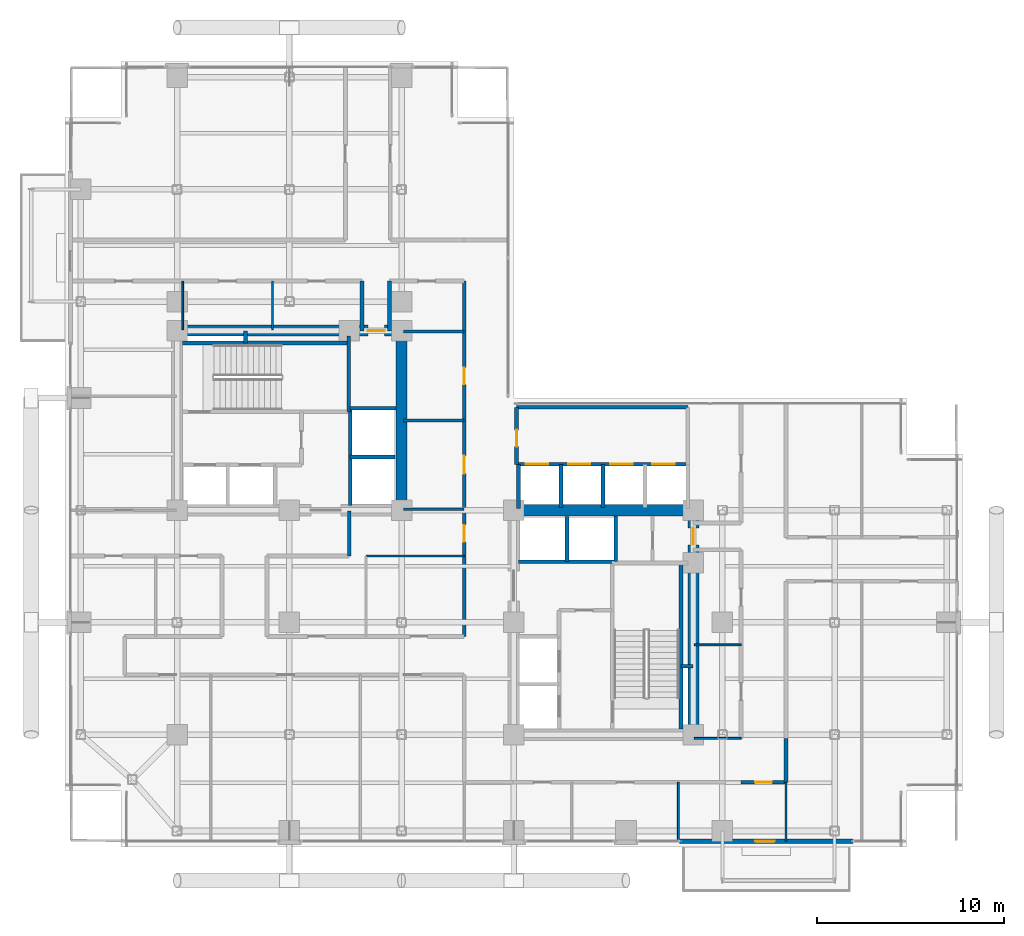
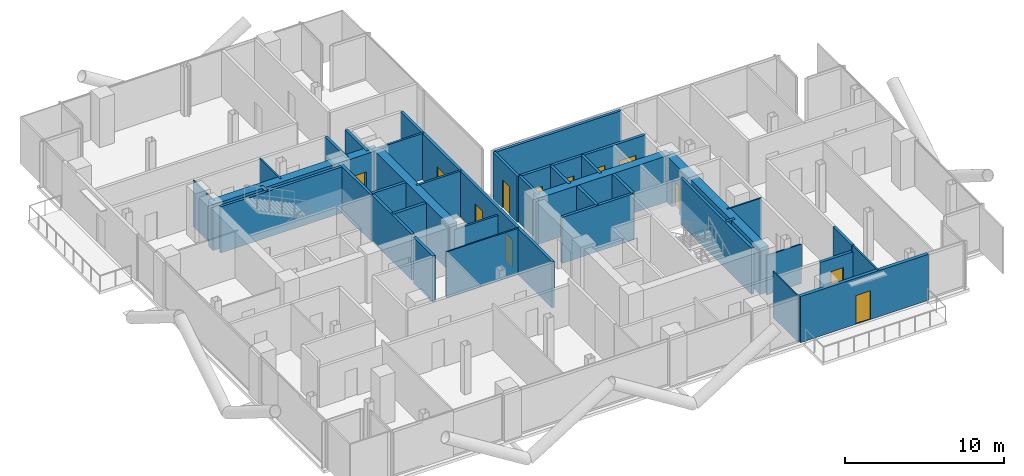
# One storey, part 23 of 28: 38 walls, 12 doors, 12 openings.
"""IFC4 building model written with IfcOpenShell, lengths in metres."""

from ifc_helpers import new_model, si_unit, direction, frame, frame_2d, origin, place, context, subcontext, project, spatial, rectangle, extrude, material, layer, layer_set, type_object, element, fill, save


model = new_model("IFC4")

# Units and contexts
model_context = context("Model", 3, precision=1e-05, world=origin(), true_north=direction((0.0, 1.0)))
body_context = subcontext(model_context, "Body", "Model", "MODEL_VIEW")
ifc_project = project(units=[si_unit("LENGTHUNIT", "METRE"), si_unit("AREAUNIT", "SQUARE_METRE"), si_unit("VOLUMEUNIT", "CUBIC_METRE"), si_unit("PLANEANGLEUNIT", "RADIAN"), si_unit("MASSUNIT", "GRAM", prefix="KILO"), si_unit("THERMODYNAMICTEMPERATUREUNIT", "KELVIN"), si_unit("POWERUNIT", "WATT")], contexts=[model_context])

# Site, building, storey
site_placement = place(None, origin())
site = spatial("IfcSite", under=ifc_project, at=site_placement, CompositionType="ELEMENT")
building_placement = place(site_placement, origin())
building = spatial("IfcBuilding", under=site, at=building_placement, Name="Svarakhadi Broadcast Tower", CompositionType="ELEMENT")
storey_placement = place(building_placement, frame((0.0, 0.0, 138.14990234375)))
storey = spatial("IfcBuildingStorey", under=building, at=storey_placement, Name="L33", CompositionType="ELEMENT", Elevation=138.14990234375)

# Wall
ifc_material_1 = material(Name="Double-Stud Acoustic Studio Partition STC-62", Category="gypsum")
ifc_layer_1 = layer(ifc_material_1, 0.199951171875)
ifc_layer_set_1 = layer_set([ifc_layer_1], Name="Double-Stud Acoustic Studio Partition STC-62")
wall_type_1 = type_object("IfcWallType", Name="Wall_Acoust_200", PredefinedType="PARTITIONING", material=ifc_layer_set_1)
wall_1_placement = place(storey_placement, frame((38.550048828125, 5.800048828125, 0.0), z_axis=(0.0, 0.0, 1.0), x_axis=(0.0, -1.0, 0.0)))
element("IfcWall", 1, at=wall_1_placement, inside=storey, type_object=wall_type_1, Name="L33 Zone 2/3 Corridor Wall", PredefinedType="PARTITIONING", context=body_context, shape_type="SweptSolid", body=[
    extrude(rectangle(XDim=2.35009765625, YDim=0.199951171875, at=frame_2d((1.175048828125, 0.0))), origin(), (0.0, 0.0, 1.0), 3.525146484375),
])

# Wall, opening, door
wall_2_placement = place(storey_placement, frame((38.550048828125, 3.449951171875, 0.0), z_axis=(0.0, 0.0, 1.0), x_axis=(-1.0, 0.0, 0.0)))
wall_2 = element("IfcWall", 2, at=wall_2_placement, inside=storey, type_object=wall_type_1, Name="L33 Zone 2/3 Corridor Wall", PredefinedType="PARTITIONING", context=body_context, shape_type="SweptSolid", body=[
    extrude(rectangle(XDim=2.400146484375, YDim=0.199951171875, at=frame_2d((1.2001953125, 0.0))), origin(), (0.0, 0.0, 1.0), 3.067138671875),
])
opening_1_placement = place(wall_2_placement, frame((0.75, 0.0, 0.0)))
opening_1 = element("IfcOpeningElement", 3, at=opening_1_placement, cuts=wall_2, Name="Opening D-15", PredefinedType="OPENING", context=body_context, shape_type="SweptSolid", body=[
    extrude(rectangle(XDim=0.89990234375, YDim=2.10009765625, at=frame_2d((0.449951171875, 1.050048828125))), frame((0.0, 0.10986328125, 0.0), z_axis=(0.0, -1.0, 0.0), x_axis=(1.0, 0.0, 0.0)), (0.0, 0.0, 1.0), 0.219970703125),
])
ifc_material_2 = material(Name="Solid-Core Teak Veneer Acoustic Timber Leaf", Category="wood")
door_type_1 = type_object("IfcDoorType", Name="Door_Int_D15", OperationType="SINGLE_SWING_RIGHT", PredefinedType="DOOR", material=ifc_material_2)
door_1_placement = place(opening_1_placement, origin())
door_1 = element("IfcDoor", 4, at=door_1_placement, inside=storey, type_object=door_type_1, Name="L33 Artisanal Espresso Bar Door", OperationType="SINGLE_SWING_RIGHT", OverallHeight=2.10009765625, OverallWidth=0.89990234375, PredefinedType="DOOR", context=body_context, shape_type="SweptSolid", body=[
    extrude(rectangle(XDim=0.89990234375, YDim=2.10009765625, at=frame_2d((0.449951171875, 1.050048828125))), frame((0.0, 0.02490234375, 0.0), z_axis=(0.0, -1.0, 0.0), x_axis=(1.0, 0.0, 0.0)), (0.0, 0.0, 1.0), 0.050048828125),
])
fill(opening_1, door_1)

# Wall
wall_3_placement = place(storey_placement, frame((15.199951171875, 17.949951171875, 0.0), z_axis=(0.0, 0.0, 1.0), x_axis=(0.0, -1.0, 0.0)))
element("IfcWall", 5, at=wall_3_placement, inside=storey, type_object=wall_type_1, Name="L33 Zone 2/3 Corridor Wall", PredefinedType="PARTITIONING", context=body_context, shape_type="SweptSolid", body=[
    extrude(rectangle(XDim=2.39990234375, YDim=0.199951171875, at=frame_2d((1.199951171875, 0.0))), origin(), (0.0, 0.0, 1.0), 3.525146484375),
])

# Wall, openings, doors
wall_4_placement = place(storey_placement, frame((21.35009765625, 11.25, 0.0), z_axis=(0.0, 0.0, 1.0), x_axis=(0.0, 1.0, 0.0)))
wall_4 = element("IfcWall", 6, at=wall_4_placement, inside=storey, type_object=wall_type_1, Name="L33 Zone 2/3 Corridor Wall", PredefinedType="PARTITIONING", context=body_context, shape_type="SweptSolid", body=[
    extrude(rectangle(XDim=19.0, YDim=0.199951171875, at=frame_2d((9.5, 0.0))), origin(), (0.0, 0.0, 1.0), 3.525146484375),
])
opening_2_placement = place(wall_4_placement, frame((8.699951171875, 0.0, 0.0)))
opening_2 = element("IfcOpeningElement", 7, at=opening_2_placement, cuts=wall_4, Name="Opening D-07", PredefinedType="OPENING", context=body_context, shape_type="SweptSolid", body=[
    extrude(rectangle(XDim=0.949951171875, YDim=2.14990234375, at=frame_2d((0.47509765625, 1.074951171875))), frame((0.0, 0.10986328125, 0.0), z_axis=(0.0, -1.0, 0.0), x_axis=(1.0, 0.0, 0.0)), (0.0, 0.0, 1.0), 0.219970703125),
])
opening_3_placement = place(wall_4_placement, frame((13.47509765625, 0.0, 0.0)))
opening_3 = element("IfcOpeningElement", 8, at=opening_3_placement, cuts=wall_4, Name="Opening D-12", PredefinedType="OPENING", context=body_context, shape_type="SweptSolid", body=[
    extrude(rectangle(XDim=0.89990234375, YDim=2.10009765625, at=frame_2d((0.449951171875, 1.050048828125))), frame((0.0, 0.10986328125, 0.0), z_axis=(0.0, -1.0, 0.0), x_axis=(1.0, 0.0, 0.0)), (0.0, 0.0, 1.0), 0.219970703125),
])
opening_4_placement = place(wall_4_placement, frame((5.050048828125, 0.0, 0.0)))
opening_4 = element("IfcOpeningElement", 9, at=opening_4_placement, cuts=wall_4, Name="Opening D-15", PredefinedType="OPENING", context=body_context, shape_type="SweptSolid", body=[
    extrude(rectangle(XDim=0.89990234375, YDim=2.10009765625, at=frame_2d((0.449951171875, 1.050048828125))), frame((0.0, 0.10986328125, 0.0), z_axis=(0.0, -1.0, 0.0), x_axis=(1.0, 0.0, 0.0)), (0.0, 0.0, 1.0), 0.219970703125),
])
door_2_placement = place(opening_4_placement, origin())
door_2 = element("IfcDoor", 10, at=door_2_placement, inside=storey, type_object=door_type_1, Name="L33 Executive Review Pod Door", OperationType="SINGLE_SWING_RIGHT", OverallHeight=2.10009765625, OverallWidth=0.89990234375, PredefinedType="DOOR", context=body_context, shape_type="SweptSolid", body=[
    extrude(rectangle(XDim=0.89990234375, YDim=2.10009765625, at=frame_2d((0.449951171875, 1.050048828125))), frame((0.0, 0.02490234375, 0.0), z_axis=(0.0, -1.0, 0.0), x_axis=(1.0, 0.0, 0.0)), (0.0, 0.0, 1.0), 0.050048828125),
])
fill(opening_4, door_2)
door_type_2 = type_object("IfcDoorType", Name="Door_Office_D07", OperationType="SINGLE_SWING_RIGHT", PredefinedType="DOOR", material=ifc_material_2)
door_3_placement = place(opening_2_placement, origin())
door_3 = element("IfcDoor", 11, at=door_3_placement, inside=storey, type_object=door_type_2, Name="L33 Broadcast Editorial Review Office Door", OperationType="SINGLE_SWING_RIGHT", OverallHeight=2.14990234375, OverallWidth=0.949951171875, PredefinedType="DOOR", context=body_context, shape_type="SweptSolid", body=[
    extrude(rectangle(XDim=0.949951171875, YDim=2.14990234375, at=frame_2d((0.47509765625, 1.074951171875))), frame((0.0, 0.02490234375, 0.0), z_axis=(0.0, -1.0, 0.0), x_axis=(1.0, 0.0, 0.0)), (0.0, 0.0, 1.0), 0.050048828125),
])
fill(opening_2, door_3)
door_type_3 = type_object("IfcDoorType", Name="Door_WC_D01", OperationType="SINGLE_SWING_LEFT", PredefinedType="DOOR", material=ifc_material_2)
door_4_placement = place(opening_3_placement, origin())
door_4 = element("IfcDoor", 12, at=door_4_placement, inside=storey, type_object=door_type_3, Name="L33 Accessible Guest Washroom WC Door", OperationType="SINGLE_SWING_LEFT", OverallHeight=2.10009765625, OverallWidth=0.89990234375, PredefinedType="DOOR", context=body_context, shape_type="SweptSolid", body=[
    extrude(rectangle(XDim=0.89990234375, YDim=2.10009765625, at=frame_2d((0.449951171875, 1.050048828125))), frame((0.0, 0.02490234375, 0.0), z_axis=(0.0, -1.0, 0.0), x_axis=(1.0, 0.0, 0.0)), (0.0, 0.0, 1.0), 0.050048828125),
])
fill(opening_3, door_4)

# Walls
for number, where, z_axis, x_axis, name in (
    (13, (17.35009765625, 30.25, 0.0), (0.0, 0.0, 1.0), (0.0, -1.0, 0.0), "L33 Zone 2/3 Corridor Wall"),
    (14, (15.8798828125, 27.580078125, 0.0), (0.0, 0.0, 1.0), (0.0, 1.0, 0.0), "L33 Zone 2/3 Corridor Wall"),
):
    element("IfcWall", number, at=place(storey_placement, frame(where, z_axis=z_axis, x_axis=x_axis)), inside=storey, type_object=wall_type_1, Name=name, PredefinedType="PARTITIONING", context=body_context, shape_type="SweptSolid", body=[
        extrude(rectangle(XDim=2.669921875, YDim=0.199951171875, at=frame_2d((1.3349609375, 0.0))), origin(), (0.0, 0.0, 1.0), 3.525146484375),
    ])

# Wall, opening, door
ifc_material_3 = material(Name="Concrete C40/50 (IS 456 M50)", Category="concrete")
ifc_layer_2 = layer(ifc_material_3, 0.239990234375)
ifc_layer_set_2 = layer_set([ifc_layer_2], Name="Concrete C40/50 (IS 456 M50)")
wall_type_2 = type_object("IfcWallType", Name="Wall_Ext_240", PredefinedType="SOLIDWALL", material=ifc_layer_set_2)
wall_5_placement = place(storey_placement, frame((42.14501953125, 0.300048828125, 0.0), z_axis=(0.0, 0.0, 1.0), x_axis=(-1.0, 0.0, 0.0)))
wall_5 = element("IfcWall", 15, at=wall_5_placement, inside=storey, type_object=wall_type_2, Name="L33 South Tree Balcony Spandrel Wall", PredefinedType="SOLIDWALL", context=body_context, shape_type="SweptSolid", body=[
    extrude(rectangle(XDim=9.2900390625, YDim=0.239990234375, at=frame_2d((4.64501953125, 0.0))), origin(), (0.0, 0.0, 1.0), 3.525146484375),
])
opening_5_placement = place(wall_5_placement, frame((4.199951171875, 0.0, 0.0)))
opening_5 = element("IfcOpeningElement", 16, at=opening_5_placement, cuts=wall_5, Name="Opening ED-05", PredefinedType="OPENING", context=body_context, shape_type="SweptSolid", body=[
    extrude(rectangle(XDim=1.050048828125, YDim=2.199951171875, at=frame_2d((0.52490234375, 1.10009765625))), frame((0.0, 0.1298828125, 0.0), z_axis=(0.0, -1.0, 0.0), x_axis=(1.0, 0.0, 0.0)), (0.0, 0.0, 1.0), 0.260009765625),
])
ifc_material_4 = material(Name="Anodised Bronze Aluminium AA 6063-T6", Category="aluminium")
door_type_4 = type_object("IfcDoorType", Name="Door_Ext_ED05", OperationType="SINGLE_SWING_LEFT", PredefinedType="DOOR", material=ifc_material_4)
door_5_placement = place(opening_5_placement, origin())
door_5 = element("IfcDoor", 17, at=door_5_placement, inside=storey, type_object=door_type_4, Name="L33 South Tree Balcony Door", OperationType="SINGLE_SWING_LEFT", OverallHeight=2.199951171875, OverallWidth=1.050048828125, PredefinedType="DOOR", context=body_context, shape_type="SweptSolid", body=[
    extrude(rectangle(XDim=1.050048828125, YDim=2.199951171875, at=frame_2d((0.52490234375, 1.10009765625))), frame((0.0, 0.02490234375, 0.0), z_axis=(0.0, -1.0, 0.0), x_axis=(1.0, 0.0, 0.0)), (0.0, 0.0, 1.0), 0.050048828125),
])
fill(opening_5, door_5)

# Walls
ifc_layer_3 = layer(ifc_material_3, 0.199951171875)
ifc_layer_set_3 = layer_set([ifc_layer_3], Name="Concrete C40/50 (IS 456 M50)")
wall_type_3 = type_object("IfcWallType", Name="Wall_Fire_200", PredefinedType="SOLIDWALL", material=ifc_layer_set_3)
for number, where, z_axis, x_axis, name in (
    (18, (9.659912109375, 26.93994140625, 0.0), (0.0, 0.0, 1.0), (0.0, 1.0, 0.0), "L33 Wet Riser Shaft East Wall"),
    (19, (32.93994140625, 9.659912109375, 0.0), (0.0, 0.0, 1.0), (1.0, 0.0, 0.0), "L33 HV Busduct Riser Shaft North Wall"),
):
    element("IfcWall", number, at=place(storey_placement, frame(where, z_axis=z_axis, x_axis=x_axis)), inside=storey, type_object=wall_type_3, Name=name, PredefinedType="SOLIDWALL", context=body_context, shape_type="SweptSolid", body=[
        extrude(rectangle(XDim=0.64013671875, YDim=0.199951171875, at=frame_2d((0.320068359375, 0.0))), origin(), (0.0, 0.0, 1.0), 3.525146484375),
    ])
ifc_material_5 = material(Name="Fire-Rated Moisture-Resistant Gypsum Board Partition", Category="gypsum")
ifc_layer_4 = layer(ifc_material_5, 0.10009765625)
ifc_layer_set_4 = layer_set([ifc_layer_4], Name="Fire-Rated Moisture-Resistant Gypsum Board Partition")
wall_type_4 = type_object("IfcWallType", Name="Wall_Part_100", PredefinedType="PARTITIONING", material=ifc_layer_set_4)
wall_6_placement = place(storey_placement, frame((16.10009765625, 15.550048828125, 0.0), z_axis=(0.0, 0.0, 1.0), x_axis=(1.0, 0.0, 0.0)))
element("IfcWall", 20, at=wall_6_placement, inside=storey, type_object=wall_type_4, Name="L33 Accessible Floor Washroom WC Wall", PredefinedType="PARTITIONING", context=body_context, shape_type="SweptSolid", body=[
    extrude(rectangle(XDim=5.25, YDim=0.10009765625, at=frame_2d((2.625, 0.0))), origin(), (0.0, 0.0, 1.0), 3.525146484375),
])
for number, where, z_axis, x_axis, name in (
    (21, (32.800048828125, 0.300048828125, 0.0), (0.0, 0.0, 1.0), (0.0, 1.0, 0.0), "L33 Client Preview Briefing Room Wall"),
    (22, (38.550048828125, 0.300048828125, 0.0), (0.0, 0.0, 1.0), (0.0, 1.0, 0.0), "L33 Artisanal Espresso Bar Wall"),
):
    element("IfcWall", number, at=place(storey_placement, frame(where, z_axis=z_axis, x_axis=x_axis)), inside=storey, type_object=wall_type_4, Name=name, PredefinedType="PARTITIONING", context=body_context, shape_type="SweptSolid", body=[
        extrude(rectangle(XDim=3.14990234375, YDim=0.10009765625, at=frame_2d((1.574951171875, 0.0))), origin(), (0.0, 0.0, 1.0), 3.525146484375),
    ])
for number, where, z_axis, x_axis, name in (
    (23, (6.300048828125, 27.64990234375, 0.0), (0.0, 0.0, 1.0), (0.0, 1.0, 0.0), "L33 Acoustic Dubbing Booth Wall"),
    (24, (11.10009765625, 27.64990234375, 0.0), (0.0, 0.0, 1.0), (0.0, 1.0, 0.0), "L33 Acoustic Dubbing Booth Wall"),
):
    element("IfcWall", number, at=place(storey_placement, frame(where, z_axis=z_axis, x_axis=x_axis)), inside=storey, type_object=wall_type_4, Name=name, PredefinedType="PARTITIONING", context=body_context, shape_type="SweptSolid", body=[
        extrude(rectangle(XDim=2.60009765625, YDim=0.10009765625, at=frame_2d((1.300048828125, 0.0))), origin(), (0.0, 0.0, 1.0), 3.525146484375),
    ])
wall_7_placement = place(storey_placement, frame((33.64990234375, 5.800048828125, 0.0), z_axis=(0.0, 0.0, 1.0), x_axis=(1.0, 0.0, 0.0)))
element("IfcWall", 25, at=wall_7_placement, inside=storey, type_object=wall_type_4, Name="L33 Media Playout Monitoring Office Wall", PredefinedType="PARTITIONING", context=body_context, shape_type="SweptSolid", body=[
    extrude(rectangle(XDim=2.5, YDim=0.10009765625, at=frame_2d((1.25, 0.0))), origin(), (0.0, 0.0, 1.0), 3.01708984375),
])
wall_8_placement = place(storey_placement, frame((33.64990234375, 10.800048828125, 0.0), z_axis=(0.0, 0.0, 1.0), x_axis=(1.0, 0.0, 0.0)))
element("IfcWall", 26, at=wall_8_placement, inside=storey, type_object=wall_type_4, Name="L33 Media Playout Monitoring Office Wall", PredefinedType="PARTITIONING", context=body_context, shape_type="SweptSolid", body=[
    extrude(rectangle(XDim=2.5, YDim=0.10009765625, at=frame_2d((1.25, 0.0))), origin(), (0.0, 0.0, 1.0), 3.525146484375),
])
ifc_material_6 = material(Name="Autoclaved Aerated Concrete Blockwork 150 mm", Category="masonry")
ifc_layer_5 = layer(ifc_material_6, 0.14990234375)
ifc_layer_set_5 = layer_set([ifc_layer_5], Name="Autoclaved Aerated Concrete Blockwork 150 mm")
wall_type_5 = type_object("IfcWallType", Name="Wall_Part_150", PredefinedType="PARTITIONING", material=ifc_layer_set_5)
wall_9_placement = place(storey_placement, frame((18.10009765625, 18.050048828125, 0.0), z_axis=(0.0, 0.0, 1.0), x_axis=(1.0, 0.0, 0.0)))
element("IfcWall", 27, at=wall_9_placement, inside=storey, type_object=wall_type_5, Name="L33 Broadcast Editorial Review Office Wall", PredefinedType="PARTITIONING", context=body_context, shape_type="SweptSolid", body=[
    extrude(rectangle(XDim=3.25, YDim=0.14990234375, at=frame_2d((1.625, 0.0))), origin(), (0.0, 0.0, 1.0), 3.01708984375),
])
for number, where, z_axis, x_axis, name in (
    (28, (18.10009765625, 22.800048828125, 0.0), (0.0, 0.0, 1.0), (1.0, 0.0, 0.0), "L33 Broadcast Editorial Review Office Wall"),
    (29, (18.10009765625, 27.550048828125, 0.0), (0.0, 0.0, 1.0), (1.0, 0.0, 0.0), "L33 Accessible Guest Washroom WC Wall"),
):
    element("IfcWall", number, at=place(storey_placement, frame(where, z_axis=z_axis, x_axis=x_axis)), inside=storey, type_object=wall_type_5, Name=name, PredefinedType="PARTITIONING", context=body_context, shape_type="SweptSolid", body=[
        extrude(rectangle(XDim=3.25, YDim=0.14990234375, at=frame_2d((1.625, 0.0))), origin(), (0.0, 0.0, 1.0), 3.525146484375),
    ])
ifc_material_7 = material(Name="Concrete C50/60 (IS 456 M60)", Category="concrete")
ifc_layer_6 = layer(ifc_material_7, 0.199951171875)
ifc_layer_set_6 = layer_set([ifc_layer_6], Name="Concrete C50/60 (IS 456 M60)")
wall_type_6 = type_object("IfcWallType", Name="Wall_Shear_200", PredefinedType="SHEAR", material=ifc_layer_set_6)
wall_10_placement = place(storey_placement, frame((6.300048828125, 26.93994140625, 0.0), z_axis=(0.0, 0.0, 1.0), x_axis=(1.0, 0.0, 0.0)))
element("IfcWall", 30, at=wall_10_placement, inside=storey, type_object=wall_type_6, Name="L33 Stair ST-01 North RC Shaft Wall", PredefinedType="SHEAR", context=body_context, shape_type="SweptSolid", body=[
    extrude(rectangle(XDim=8.8798828125, YDim=0.199951171875, at=frame_2d((4.43994140625, 0.0))), origin(), (0.0, 0.0, 1.0), 3.525146484375),
])
wall_11_placement = place(storey_placement, frame((15.179931640625, 23.260009765625, 0.0), z_axis=(0.0, 0.0, 1.0), x_axis=(0.0, 1.0, 0.0)))
element("IfcWall", 31, at=wall_11_placement, inside=storey, type_object=wall_type_6, Name="L33 Stair ST-01 East RC Shaft Wall", PredefinedType="SHEAR", context=body_context, shape_type="SweptSolid", body=[
    extrude(rectangle(XDim=4.0400390625, YDim=0.199951171875, at=frame_2d((2.02001953125, 0.0))), origin(), (0.0, 0.0, 1.0), 3.525146484375),
])
wall_12_placement = place(storey_placement, frame((32.93994140625, 6.300048828125, 0.0), z_axis=(0.0, 0.0, 1.0), x_axis=(0.0, 1.0, 0.0)))
element("IfcWall", 32, at=wall_12_placement, inside=storey, type_object=wall_type_6, Name="L33 Stair ST-02 East RC Shaft Wall", PredefinedType="SHEAR", context=body_context, shape_type="SweptSolid", body=[
    extrude(rectangle(XDim=8.8798828125, YDim=0.199951171875, at=frame_2d((4.43994140625, 0.0))), origin(), (0.0, 0.0, 1.0), 3.525146484375),
])
wall_13_placement = place(storey_placement, frame((15.25, 18.25, 0.0), z_axis=(0.0, 0.0, 1.0), x_axis=(0.0, 1.0, 0.0)))
element("IfcWall", 33, at=wall_13_placement, inside=storey, type_object=wall_type_6, Name="L33 High-Rise Lift LF-13/14 West Shaft Wall", PredefinedType="SHEAR", context=body_context, shape_type="SweptSolid", body=[
    extrude(rectangle(XDim=5.199951171875, YDim=0.199951171875, at=frame_2d((2.60009765625, 0.0))), origin(), (0.0, 0.0, 1.0), 3.525146484375),
])
wall_14_placement = place(storey_placement, frame((15.25, 20.85009765625, 0.0), z_axis=(0.0, 0.0, 1.0), x_axis=(1.0, 0.0, 0.0)))
element("IfcWall", 34, at=wall_14_placement, inside=storey, type_object=wall_type_6, Name="L33 High-Rise Lift LF-13/14 Divider", PredefinedType="SHEAR", context=body_context, shape_type="SweptSolid", body=[
    extrude(rectangle(XDim=2.39990234375, YDim=0.199951171875, at=frame_2d((1.199951171875, 0.0))), origin(), (0.0, 0.0, 1.0), 3.525146484375),
])
wall_15_placement = place(storey_placement, frame((15.25, 23.449951171875, 0.0), z_axis=(0.0, 0.0, 1.0), x_axis=(1.0, 0.0, 0.0)))
element("IfcWall", 35, at=wall_15_placement, inside=storey, type_object=wall_type_6, Name="L33 High-Rise Lift LF-13/14 North Wall", PredefinedType="SHEAR", context=body_context, shape_type="SweptSolid", body=[
    extrude(rectangle(XDim=2.449951171875, YDim=0.199951171875, at=frame_2d((1.22509765625, 0.0))), origin(), (0.0, 0.0, 1.0), 3.525146484375),
])
wall_16_placement = place(storey_placement, frame((24.25, 15.25, 0.0), z_axis=(0.0, 0.0, 1.0), x_axis=(1.0, 0.0, 0.0)))
element("IfcWall", 36, at=wall_16_placement, inside=storey, type_object=wall_type_6, Name="L33 High-Rise Lift LF-15/16 South Shaft Wall", PredefinedType="SHEAR", context=body_context, shape_type="SweptSolid", body=[
    extrude(rectangle(XDim=5.199951171875, YDim=0.199951171875, at=frame_2d((2.60009765625, 0.0))), origin(), (0.0, 0.0, 1.0), 3.525146484375),
])
wall_17_placement = place(storey_placement, frame((26.85009765625, 15.25, 0.0), z_axis=(0.0, 0.0, 1.0), x_axis=(0.0, 1.0, 0.0)))
element("IfcWall", 37, at=wall_17_placement, inside=storey, type_object=wall_type_6, Name="L33 High-Rise Lift LF-15/16 Divider", PredefinedType="SHEAR", context=body_context, shape_type="SweptSolid", body=[
    extrude(rectangle(XDim=2.39990234375, YDim=0.199951171875, at=frame_2d((1.199951171875, 0.0))), origin(), (0.0, 0.0, 1.0), 3.525146484375),
])
wall_18_placement = place(storey_placement, frame((29.449951171875, 15.25, 0.0), z_axis=(0.0, 0.0, 1.0), x_axis=(0.0, 1.0, 0.0)))
element("IfcWall", 38, at=wall_18_placement, inside=storey, type_object=wall_type_6, Name="L33 High-Rise Lift LF-15/16 East Wall", PredefinedType="SHEAR", context=body_context, shape_type="SweptSolid", body=[
    extrude(rectangle(XDim=2.449951171875, YDim=0.199951171875, at=frame_2d((1.22509765625, 0.0))), origin(), (0.0, 0.0, 1.0), 3.525146484375),
])
wall_19_placement = place(storey_placement, frame((24.25, 18.10009765625, 0.0), z_axis=(0.0, 0.0, 1.0), x_axis=(0.0, 1.0, 0.0)))
element("IfcWall", 39, at=wall_19_placement, inside=storey, type_object=wall_type_6, Name="L33 Bank B West Shaft Wall", PredefinedType="SHEAR", context=body_context, shape_type="SweptSolid", body=[
    extrude(rectangle(XDim=2.349853515625, YDim=0.199951171875, at=frame_2d((1.1748046875, 0.0))), origin(), (0.0, 0.0, 1.0), 3.525146484375),
])

# Wall, openings, doors
wall_20_placement = place(storey_placement, frame((24.25, 20.449951171875, 0.0), z_axis=(0.0, 0.0, 1.0), x_axis=(1.0, 0.0, 0.0)))
wall_20 = element("IfcWall", 40, at=wall_20_placement, inside=storey, type_object=wall_type_6, Name="L33 Bank B North Landing Wall", PredefinedType="SHEAR", context=body_context, shape_type="SweptSolid", body=[
    extrude(rectangle(XDim=9.050048828125, YDim=0.199951171875, at=frame_2d((4.52490234375, 0.0))), origin(), (0.0, 0.0, 1.0), 3.525146484375),
])
opening_6_placement = place(wall_20_placement, frame((0.39990234375, 0.0, 0.0)))
opening_6 = element("IfcOpeningElement", 41, at=opening_6_placement, cuts=wall_20, Name="Opening LD-02", PredefinedType="OPENING", context=body_context, shape_type="SweptSolid", body=[
    extrude(rectangle(XDim=1.199951171875, YDim=2.199951171875, at=frame_2d((0.60009765625, 1.10009765625))), frame((0.0, 0.10986328125, 0.0), z_axis=(0.0, -1.0, 0.0), x_axis=(1.0, 0.0, 0.0)), (0.0, 0.0, 1.0), 0.219970703125),
])
opening_7_placement = place(wall_20_placement, frame((2.64990234375, 0.0, 0.0)))
opening_7 = element("IfcOpeningElement", 42, at=opening_7_placement, cuts=wall_20, Name="Opening LD-02", PredefinedType="OPENING", context=body_context, shape_type="SweptSolid", body=[
    extrude(rectangle(XDim=1.199951171875, YDim=2.199951171875, at=frame_2d((0.60009765625, 1.10009765625))), frame((0.0, 0.10986328125, 0.0), z_axis=(0.0, -1.0, 0.0), x_axis=(1.0, 0.0, 0.0)), (0.0, 0.0, 1.0), 0.219970703125),
])
opening_8_placement = place(wall_20_placement, frame((4.89990234375, 0.0, 0.0)))
opening_8 = element("IfcOpeningElement", 43, at=opening_8_placement, cuts=wall_20, Name="Opening LD-02", PredefinedType="OPENING", context=body_context, shape_type="SweptSolid", body=[
    extrude(rectangle(XDim=1.199951171875, YDim=2.199951171875, at=frame_2d((0.60009765625, 1.10009765625))), frame((0.0, 0.10986328125, 0.0), z_axis=(0.0, -1.0, 0.0), x_axis=(1.0, 0.0, 0.0)), (0.0, 0.0, 1.0), 0.219970703125),
])
opening_9_placement = place(wall_20_placement, frame((7.14990234375, 0.0, 0.0)))
opening_9 = element("IfcOpeningElement", 44, at=opening_9_placement, cuts=wall_20, Name="Opening LD-02", PredefinedType="OPENING", context=body_context, shape_type="SweptSolid", body=[
    extrude(rectangle(XDim=1.199951171875, YDim=2.199951171875, at=frame_2d((0.60009765625, 1.10009765625))), frame((0.0, 0.10986328125, 0.0), z_axis=(0.0, -1.0, 0.0), x_axis=(1.0, 0.0, 0.0)), (0.0, 0.0, 1.0), 0.219970703125),
])
ifc_material_8 = material(Name="Galvanised Powder-Coated Fire-Rated Steel Leaf", Category="steel")
door_type_5 = type_object("IfcDoorType", Name="Door_Lift_LD02", OperationType="SLIDING_TO_RIGHT", PredefinedType="DOOR", material=ifc_material_8)
door_6_placement = place(opening_6_placement, origin())
door_6 = element("IfcDoor", 45, at=door_6_placement, inside=storey, type_object=door_type_5, Name="L33 Mid-Rise Lift LF-09 Landing Door", OperationType="SLIDING_TO_RIGHT", OverallHeight=2.199951171875, OverallWidth=1.199951171875, PredefinedType="DOOR", context=body_context, shape_type="SweptSolid", body=[
    extrude(rectangle(XDim=1.199951171875, YDim=2.199951171875, at=frame_2d((0.60009765625, 1.10009765625))), frame((0.0, 0.02490234375, 0.0), z_axis=(0.0, -1.0, 0.0), x_axis=(1.0, 0.0, 0.0)), (0.0, 0.0, 1.0), 0.050048828125),
])
fill(opening_6, door_6)
door_7_placement = place(opening_7_placement, origin())
door_7 = element("IfcDoor", 46, at=door_7_placement, inside=storey, type_object=door_type_5, Name="L33 Mid-Rise Lift LF-10 Landing Door", OperationType="SLIDING_TO_RIGHT", OverallHeight=2.199951171875, OverallWidth=1.199951171875, PredefinedType="DOOR", context=body_context, shape_type="SweptSolid", body=[
    extrude(rectangle(XDim=1.199951171875, YDim=2.199951171875, at=frame_2d((0.60009765625, 1.10009765625))), frame((0.0, 0.02490234375, 0.0), z_axis=(0.0, -1.0, 0.0), x_axis=(1.0, 0.0, 0.0)), (0.0, 0.0, 1.0), 0.050048828125),
])
fill(opening_7, door_7)
door_8_placement = place(opening_8_placement, origin())
door_8 = element("IfcDoor", 47, at=door_8_placement, inside=storey, type_object=door_type_5, Name="L33 Mid-Rise Lift LF-11 Landing Door", OperationType="SLIDING_TO_RIGHT", OverallHeight=2.199951171875, OverallWidth=1.199951171875, PredefinedType="DOOR", context=body_context, shape_type="SweptSolid", body=[
    extrude(rectangle(XDim=1.199951171875, YDim=2.199951171875, at=frame_2d((0.60009765625, 1.10009765625))), frame((0.0, 0.02490234375, 0.0), z_axis=(0.0, -1.0, 0.0), x_axis=(1.0, 0.0, 0.0)), (0.0, 0.0, 1.0), 0.050048828125),
])
fill(opening_8, door_8)
door_9_placement = place(opening_9_placement, origin())
door_9 = element("IfcDoor", 48, at=door_9_placement, inside=storey, type_object=door_type_5, Name="L33 Mid-Rise Lift LF-12 Landing Door", OperationType="SLIDING_TO_RIGHT", OverallHeight=2.199951171875, OverallWidth=1.199951171875, PredefinedType="DOOR", context=body_context, shape_type="SweptSolid", body=[
    extrude(rectangle(XDim=1.199951171875, YDim=2.199951171875, at=frame_2d((0.60009765625, 1.10009765625))), frame((0.0, 0.02490234375, 0.0), z_axis=(0.0, -1.0, 0.0), x_axis=(1.0, 0.0, 0.0)), (0.0, 0.0, 1.0), 0.050048828125),
])
fill(opening_9, door_9)

# Walls
for number, where, z_axis, x_axis, name in (
    (49, (26.52001953125, 18.14990234375, 0.0), (0.0, 0.0, 1.0), (0.0, 1.0, 0.0), "L33 Bank B Divider"),
    (50, (28.77001953125, 18.14990234375, 0.0), (0.0, 0.0, 1.0), (0.0, 1.0, 0.0), "L33 Bank B Divider"),
):
    element("IfcWall", number, at=place(storey_placement, frame(where, z_axis=z_axis, x_axis=x_axis)), inside=storey, type_object=wall_type_6, Name=name, PredefinedType="SHEAR", context=body_context, shape_type="SweptSolid", body=[
        extrude(rectangle(XDim=2.300048828125, YDim=0.199951171875, at=frame_2d((1.14990234375, 0.0))), origin(), (0.0, 0.0, 1.0), 3.525146484375),
    ])
wall_21_placement = place(storey_placement, frame((24.14990234375, 23.5, 0.0), z_axis=(0.0, 0.0, 1.0), x_axis=(1.0, 0.0, 0.0)))
element("IfcWall", 51, at=wall_21_placement, inside=storey, type_object=wall_type_6, Name="L33 Bank B Lift Hall North Wall", PredefinedType="SHEAR", context=body_context, shape_type="SweptSolid", body=[
    extrude(rectangle(XDim=9.150146484375, YDim=0.199951171875, at=frame_2d((4.5751953125, 0.0))), origin(), (0.0, 0.0, 1.0), 3.525146484375),
])

# Wall, opening, door
wall_22_placement = place(storey_placement, frame((24.14990234375, 20.449951171875, 0.0), z_axis=(0.0, 0.0, 1.0), x_axis=(0.0, 1.0, 0.0)))
wall_22 = element("IfcWall", 52, at=wall_22_placement, inside=storey, type_object=wall_type_6, Name="L33 Bank B Lift Hall West Wall", PredefinedType="SHEAR", context=body_context, shape_type="SweptSolid", body=[
    extrude(rectangle(XDim=3.050048828125, YDim=0.199951171875, at=frame_2d((1.52490234375, 0.0))), origin(), (0.0, 0.0, 1.0), 3.525146484375),
])
opening_10_placement = place(wall_22_placement, frame((0.949951171875, 0.0, 0.0)))
opening_10 = element("IfcOpeningElement", 53, at=opening_10_placement, cuts=wall_22, Name="Opening D-04", PredefinedType="OPENING", context=body_context, shape_type="SweptSolid", body=[
    extrude(rectangle(XDim=0.89990234375, YDim=2.14990234375, at=frame_2d((0.449951171875, 1.074951171875))), frame((0.0, 0.10986328125, 0.0), z_axis=(0.0, -1.0, 0.0), x_axis=(1.0, 0.0, 0.0)), (0.0, 0.0, 1.0), 0.219970703125),
])
door_type_6 = type_object("IfcDoorType", Name="Door_Fire_D04", OperationType="SINGLE_SWING_RIGHT", PredefinedType="DOOR", material=ifc_material_8)
door_10_placement = place(opening_10_placement, origin())
door_10 = element("IfcDoor", 54, at=door_10_placement, inside=storey, type_object=door_type_6, Name="L33 Mid-Rise Lift Hall West Corridor Door", OperationType="SINGLE_SWING_RIGHT", OverallHeight=2.14990234375, OverallWidth=0.89990234375, PredefinedType="DOOR", context=body_context, shape_type="SweptSolid", body=[
    extrude(rectangle(XDim=0.89990234375, YDim=2.14990234375, at=frame_2d((0.449951171875, 1.074951171875))), frame((0.0, 0.02490234375, 0.0), z_axis=(0.0, -1.0, 0.0), x_axis=(1.0, 0.0, 0.0)), (0.0, 0.0, 1.0), 0.050048828125),
])
fill(opening_10, door_10)

ifc_material_9 = material(Name="Concrete C60/75 (IS 456 M70)", Category="concrete")
ifc_layer_7 = layer(ifc_material_9, 0.60009765625)
ifc_layer_set_7 = layer_set([ifc_layer_7], Name="Concrete C60/75 (IS 456 M70)")
wall_type_7 = type_object("IfcWallType", Name="Wall_Shear_600", PredefinedType="SHEAR", material=ifc_layer_set_7)
wall_23_placement = place(storey_placement, frame((6.0, 27.60009765625, 0.0), z_axis=(0.0, 0.0, 1.0), x_axis=(1.0, 0.0, 0.0)))
wall_23 = element("IfcWall", 55, at=wall_23_placement, inside=storey, type_object=wall_type_7, Name="L33 West Core North Shear Wall", PredefinedType="SHEAR", context=body_context, shape_type="SweptSolid", body=[
    extrude(rectangle(XDim=12.0, YDim=0.60009765625, at=frame_2d((6.0, 0.0))), origin(), (0.0, 0.0, 1.0), 3.525146484375),
])
opening_11_placement = place(wall_23_placement, frame((10.199951171875, 0.0, 0.0)))
opening_11 = element("IfcOpeningElement", 56, at=opening_11_placement, cuts=wall_23, Name="Opening D-04", PredefinedType="OPENING", context=body_context, shape_type="SweptSolid", body=[
    extrude(rectangle(XDim=0.89990234375, YDim=2.14990234375, at=frame_2d((0.449951171875, 1.074951171875))), frame((0.0, 0.31005859375, 0.0), z_axis=(0.0, -1.0, 0.0), x_axis=(1.0, 0.0, 0.0)), (0.0, 0.0, 1.0), 0.6201171875),
])
door_11_placement = place(opening_11_placement, origin())
door_11 = element("IfcDoor", 57, at=door_11_placement, inside=storey, type_object=door_type_6, Name="L33 Core Meter Cupboard Door", OperationType="SINGLE_SWING_RIGHT", OverallHeight=2.14990234375, OverallWidth=0.89990234375, PredefinedType="DOOR", context=body_context, shape_type="SweptSolid", body=[
    extrude(rectangle(XDim=0.89990234375, YDim=2.14990234375, at=frame_2d((0.449951171875, 1.074951171875))), frame((0.0, 0.02490234375, 0.0), z_axis=(0.0, -1.0, 0.0), x_axis=(1.0, 0.0, 0.0)), (0.0, 0.0, 1.0), 0.050048828125),
])
fill(opening_11, door_11)

# Walls
for number, where, z_axis, x_axis, name in (
    (58, (18.0, 18.0, 0.0), (0.0, 0.0, 1.0), (0.0, 1.0, 0.0), "L33 West Core East Shear Wall"),
    (59, (24.0, 18.0, 0.0), (0.0, 0.0, 1.0), (1.0, 0.0, 0.0), "L33 East Core North Shear Wall"),
):
    element("IfcWall", number, at=place(storey_placement, frame(where, z_axis=z_axis, x_axis=x_axis)), inside=storey, type_object=wall_type_7, Name=name, PredefinedType="SHEAR", context=body_context, shape_type="SweptSolid", body=[
        extrude(rectangle(XDim=9.60009765625, YDim=0.60009765625, at=frame_2d((4.800048828125, 0.0))), origin(), (0.0, 0.0, 1.0), 3.525146484375),
    ])

# Wall, opening, door
wall_24_placement = place(storey_placement, frame((33.60009765625, 6.0, 0.0), z_axis=(0.0, 0.0, 1.0), x_axis=(0.0, 1.0, 0.0)))
wall_24 = element("IfcWall", 60, at=wall_24_placement, inside=storey, type_object=wall_type_7, Name="L33 East Core East Shear Wall", PredefinedType="SHEAR", context=body_context, shape_type="SweptSolid", body=[
    extrude(rectangle(XDim=12.0, YDim=0.60009765625, at=frame_2d((6.0, 0.0))), origin(), (0.0, 0.0, 1.0), 3.525146484375),
])
opening_12_placement = place(wall_24_placement, frame((10.14990234375, 0.0, 0.0)))
opening_12 = element("IfcOpeningElement", 61, at=opening_12_placement, cuts=wall_24, Name="Opening D-04", PredefinedType="OPENING", context=body_context, shape_type="SweptSolid", body=[
    extrude(rectangle(XDim=0.89990234375, YDim=2.14990234375, at=frame_2d((0.449951171875, 1.074951171875))), frame((0.0, 0.31005859375, 0.0), z_axis=(0.0, -1.0, 0.0), x_axis=(1.0, 0.0, 0.0)), (0.0, 0.0, 1.0), 0.6201171875),
])
door_12_placement = place(opening_12_placement, origin())
door_12 = element("IfcDoor", 62, at=door_12_placement, inside=storey, type_object=door_type_6, Name="L33 Core Outer Service Store Door", OperationType="SINGLE_SWING_RIGHT", OverallHeight=2.14990234375, OverallWidth=0.89990234375, PredefinedType="DOOR", context=body_context, shape_type="SweptSolid", body=[
    extrude(rectangle(XDim=0.89990234375, YDim=2.14990234375, at=frame_2d((0.449951171875, 1.074951171875))), frame((0.0, 0.02490234375, 0.0), z_axis=(0.0, -1.0, 0.0), x_axis=(1.0, 0.0, 0.0)), (0.0, 0.0, 1.0), 0.050048828125),
])
fill(opening_12, door_12)

save(model, "model.ifc")
